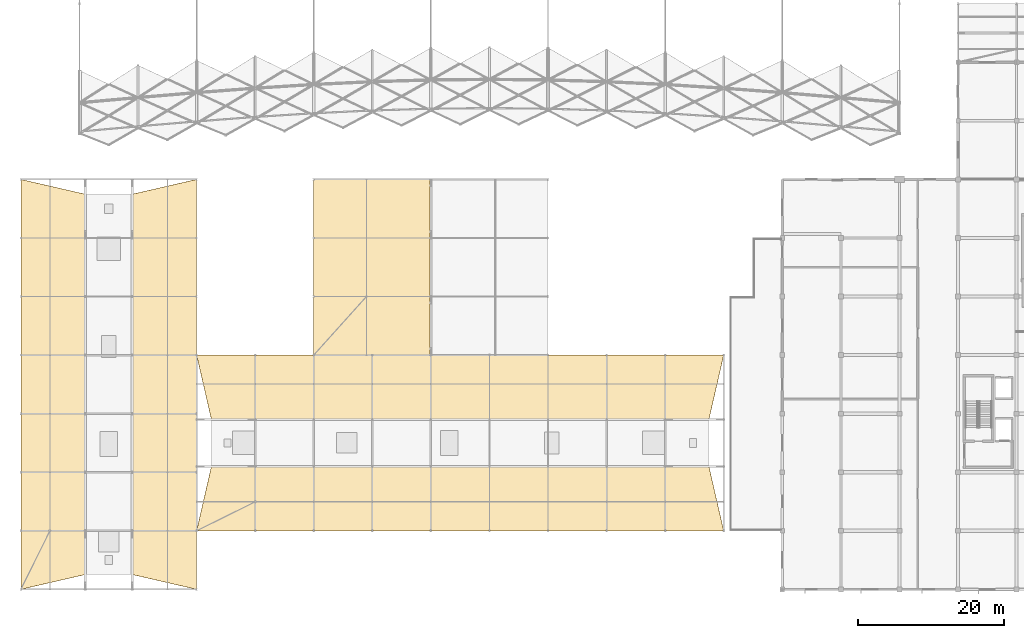
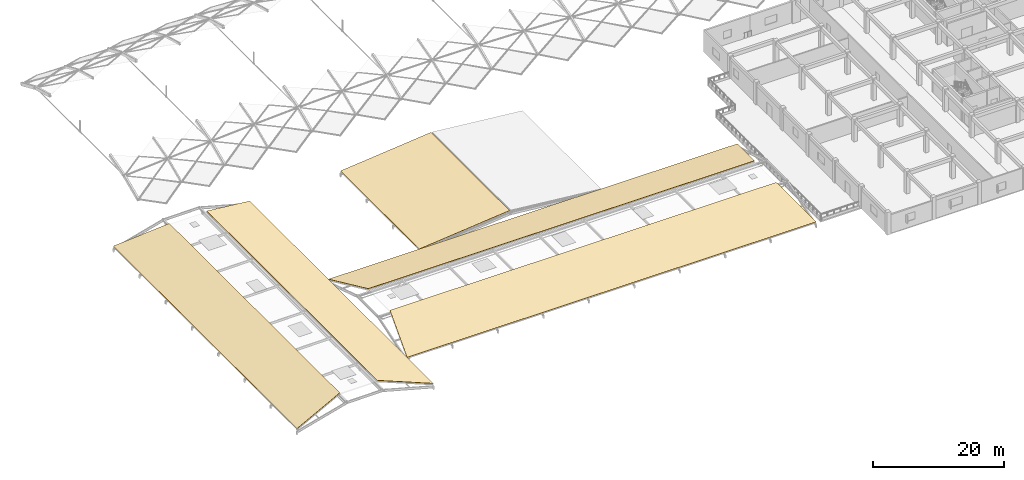
# One storey, part 49 of 54: 5 coverings.
"""IFC4 building model written with IfcOpenShell, lengths in metres."""

import ifcopenshell
import ifcopenshell.guid

model = None  # the IFC model being written
_history = None  # IfcOwnerHistory: only IFC2X3 demands one
_inside = {}  # id of a spatial element -> (the spatial element, [elements in it])
_under = {}  # id of a project, library or spatial element -> (it, [spatial elements below it])
_declared = {}  # id of a project -> (the project, [libraries it declares])
_typed = {}  # id of a type object -> (the type object, [elements of that type])
_made_of = {}  # id of a material, layer set ... -> (it, [elements and type objects made of it])


def new_model(schema):
    """Start an empty IFC model of exactly this schema.

    Asked for "IFC4X3", IfcOpenShell would pick the latest addendum, in which some entities
    have other attributes; the version numbers below select the first issue.
    IFC2X3 requires an IfcOwnerHistory on every rooted entity: one is made here for all.
    """
    global model, _history
    if schema == "IFC4X3":
        model = ifcopenshell.file(schema_version=(4, 3, 0, 0))
    else:
        model = ifcopenshell.file(schema=schema)
    _inside.clear()
    _under.clear()
    _declared.clear()
    _typed.clear()
    _made_of.clear()
    _history = None
    if model.schema == "IFC2X3":
        org = make("IfcOrganization", Name="unknown")
        user = make(
            "IfcPersonAndOrganization",
            ThePerson=make("IfcPerson", FamilyName="unknown"),
            TheOrganization=org,
        )
        app = make(
            "IfcApplication",
            ApplicationDeveloper=org,
            Version="unknown",
            ApplicationFullName="unknown",
            ApplicationIdentifier="unknown",
        )
        _history = make(
            "IfcOwnerHistory",
            OwningUser=user,
            OwningApplication=app,
            ChangeAction="ADDED",
            CreationDate=0,
        )
    return model


def make(cls, **values):
    """One entity of the class cls with the attributes given. An attribute that is None is left unset."""
    return model.create_entity(
        cls, **{name: value for name, value in values.items() if value is not None}
    )


def rooted(cls, **values):
    """An entity with a GlobalId (a new one), such as an element, a storey or a relation."""
    return make(cls, GlobalId=ifcopenshell.guid.new(), OwnerHistory=_history, **values)


def si_unit(unit_type, name, prefix=None):
    """IfcSIUnit, for example si_unit("LENGTHUNIT", "METRE", prefix="MILLI")."""
    return make("IfcSIUnit", UnitType=unit_type, Prefix=prefix, Name=name)


def assignment(units):
    """IfcUnitAssignment: the units of a project."""
    return None if units is None else make("IfcUnitAssignment", Units=units)


def point(xyz):
    """IfcCartesianPoint."""
    return None if xyz is None else make("IfcCartesianPoint", Coordinates=xyz)


def direction(xyz):
    """IfcDirection."""
    return None if xyz is None else make("IfcDirection", DirectionRatios=xyz)


def frame(location, z_axis=None, x_axis=None):
    """IfcAxis2Placement3D, a coordinate frame: its origin and axes. An axis left out is left unset."""
    return make(
        "IfcAxis2Placement3D",
        Location=point(location),
        Axis=direction(z_axis),
        RefDirection=direction(x_axis),
    )


def origin():
    """The frame at (0, 0, 0) with its axes left unset."""
    return frame((0.0, 0.0, 0.0))


def place(relative_to, where):
    """IfcLocalPlacement: puts the frame where relative to a parent placement (None: the world)."""
    return make(
        "IfcLocalPlacement", PlacementRelTo=relative_to, RelativePlacement=where
    )


def context(
    kind, dimensions, precision=None, world=None, true_north=None, identifier=None
):
    """IfcGeometricRepresentationContext, for example the 3D "Model" context."""
    return make(
        "IfcGeometricRepresentationContext",
        ContextIdentifier=identifier,
        ContextType=kind,
        CoordinateSpaceDimension=dimensions,
        Precision=precision,
        WorldCoordinateSystem=world,
        TrueNorth=true_north,
    )


def subcontext(parent, identifier, kind, view, scale=None):
    """IfcGeometricRepresentationSubContext, for example "Body" below "Model"."""
    return make(
        "IfcGeometricRepresentationSubContext",
        ContextIdentifier=identifier,
        ContextType=kind,
        ParentContext=parent,
        TargetScale=scale,
        TargetView=view,
    )


def project(units=None, contexts=None):
    """IfcProject with its units and contexts."""
    return rooted(
        "IfcProject",
        Name="project",
        RepresentationContexts=contexts,
        UnitsInContext=assignment(units),
    )


def spatial(cls, under=None, at=None, **own):
    """A site, building, storey or space (cls), placed at a placement, below another one or the project."""
    s = rooted(cls, ObjectPlacement=at, **own)
    if under is not None:
        _under.setdefault(under.id(), (under, []))[1].append(s)
    return s


def polyline(points):
    """IfcPolyline through the points."""
    return make("IfcPolyline", Points=[point(p) for p in points])


def outline(outer, holes=None, kind="AREA"):
    """IfcArbitraryClosedProfileDef: a profile drawn as a closed curve; with holes, ...WithVoids."""
    if holes is None:
        return make("IfcArbitraryClosedProfileDef", ProfileType=kind, OuterCurve=outer)
    return make(
        "IfcArbitraryProfileDefWithVoids",
        ProfileType=kind,
        OuterCurve=outer,
        InnerCurves=holes,
    )


def extrude(swept, where, along, depth):
    """IfcExtrudedAreaSolid: the profile swept, set in the frame where, extruded along a direction by depth."""
    return make(
        "IfcExtrudedAreaSolid",
        SweptArea=swept,
        Position=where,
        ExtrudedDirection=direction(along),
        Depth=depth,
    )


def shape(context_of_items, identifier, shape_type, items):
    """IfcShapeRepresentation: the items that make up one representation, for example the "Body"."""
    return make(
        "IfcShapeRepresentation",
        ContextOfItems=context_of_items,
        RepresentationIdentifier=identifier,
        RepresentationType=shape_type,
        Items=items,
    )


def material(Name=None, Category=None):
    """IfcMaterial."""
    return make("IfcMaterial", Name=Name, Category=Category)


def layer(
    of_material, thickness, ventilated=None, Name=None, Category=None, Priority=None
):
    """IfcMaterialLayer: one layer of a wall or slab, of a material (None: an air gap)."""
    return make(
        "IfcMaterialLayer",
        Material=of_material,
        LayerThickness=thickness,
        IsVentilated=ventilated,
        Name=Name,
        Category=Category,
        Priority=Priority,
    )


def layer_set(layers, Name=None):
    """IfcMaterialLayerSet."""
    return make("IfcMaterialLayerSet", MaterialLayers=layers, LayerSetName=Name)


def made_of(thing, what):
    """Note that an element or type object is made of a material, layer set ...; save() writes the relation."""
    if what is not None:
        _made_of.setdefault(what.id(), (what, []))[1].append(thing)
    return thing


def type_object(cls, material=None, **own):
    """A type object (cls), such as IfcWallType, which elements share."""
    return made_of(rooted(cls, **own), material)


def element(
    cls,
    number,
    at=None,
    inside=None,
    cuts=None,
    type_object=None,
    material=None,
    context=None,
    identifier="Body",
    shape_type=None,
    held_by="IfcProductDefinitionShape",
    body=None,
    shapes=None,
    **own,
):
    """One element of the class cls, such as IfcWall. Its Tag is "e" and its number.

    at: its placement. inside: the storey or other place that contains it. cuts: it is an
    opening in that element (IfcRelVoidsElement). A single representation is given by context,
    identifier, shape_type and body (its items); several are given by shapes. held_by: the class
    of the entity that holds the representations. save() writes the other relations.
    """
    e = rooted(cls, Tag="e%d" % number, ObjectPlacement=at, **own)
    if body is not None:
        shapes = [shape(context, identifier, shape_type, body)]
    if shapes is not None:
        e.Representation = make(held_by, Representations=shapes)
    if inside is not None:
        _inside.setdefault(inside.id(), (inside, []))[1].append(e)
    if cuts is not None:
        rooted(
            "IfcRelVoidsElement", RelatingBuildingElement=cuts, RelatedOpeningElement=e
        )
    if type_object is not None:
        _typed.setdefault(type_object.id(), (type_object, []))[1].append(e)
    return made_of(e, material)


def aggregate(whole, parts):
    """IfcRelAggregates: a whole, such as a stair, and the parts it consists of."""
    return rooted("IfcRelAggregates", RelatingObject=whole, RelatedObjects=parts)


def save(model, path):
    """Write the relations noted so far, then the file.

    IfcRelAggregates (storeys below a building ...), IfcRelContainedInSpatialStructure (elements
    in a storey), IfcRelDefinesByType, IfcRelAssociatesMaterial and IfcRelDeclares: one each for
    every whole, place, type object, material and project.
    """
    for whole, parts in _under.values():
        aggregate(whole, parts)
    for where, things in _inside.values():
        rooted(
            "IfcRelContainedInSpatialStructure",
            RelatedElements=things,
            RelatingStructure=where,
        )
    for kind, things in _typed.values():
        rooted("IfcRelDefinesByType", RelatedObjects=things, RelatingType=kind)
    for what, things in _made_of.values():
        rooted("IfcRelAssociatesMaterial", RelatedObjects=things, RelatingMaterial=what)
    for by, libraries in _declared.values():
        rooted("IfcRelDeclares", RelatingContext=by, RelatedDefinitions=libraries)
    model.write(path)


model = new_model("IFC4")

# Units and contexts
model_context = context("Model", 3, precision=1e-05, world=origin(), true_north=direction((0.0, 1.0)))
body_context = subcontext(model_context, "Body", "Model", "MODEL_VIEW")
ifc_project = project(units=[si_unit("LENGTHUNIT", "METRE"), si_unit("AREAUNIT", "SQUARE_METRE"), si_unit("VOLUMEUNIT", "CUBIC_METRE"), si_unit("PLANEANGLEUNIT", "RADIAN"), si_unit("MASSUNIT", "GRAM", prefix="KILO")], contexts=[model_context])

# Site, building, storey
site_placement = place(None, origin())
site = spatial("IfcSite", under=ifc_project, at=site_placement, CompositionType="ELEMENT")
building_placement = place(site_placement, origin())
building = spatial("IfcBuilding", under=site, at=building_placement, Name="Kenh Van Central Station", CompositionType="ELEMENT")
storey_placement = place(building_placement, frame((0.0, 0.0, 15.0)))
storey = spatial("IfcBuildingStorey", under=building, at=storey_placement, Name="L03", CompositionType="ELEMENT", Elevation=15.0)

# Coverings
ifc_material_1 = material(Name="Standing-seam zinc-aluminium roofing", Category="aluminium")
ifc_layer_1 = layer(ifc_material_1, 0.044921875, Name="Standing-seam zinc-aluminium roofing")
ifc_layer_set_1 = layer_set([ifc_layer_1], Name="Standing-seam zinc-aluminium roofing")
covering_type_1 = type_object("IfcCoveringType", Name="COV-ROOF-SEAM", PredefinedType="ROOFING", material=ifc_layer_set_1)
covering_1_placement = place(storey_placement, frame((48.0, 16.0, 0.139892578125), z_axis=(0.0, -0.306369735686, 0.95191259318), x_axis=(1.0, 0.0, 0.0)))
element("IfcCovering", 1, at=covering_1_placement, inside=storey, type_object=covering_type_1, Name="L03 pitched roof covering 03", PredefinedType="ROOFING", context=body_context, shape_type="SweptSolid", body=[
    extrude(outline(polyline([(0.0, 0.0), (72.0, 0.0), (70.0, 9.139443299944114), (2.0, 9.139443299944114), (0.0, 0.0)])), origin(), (0.0, 0.0, -1.0), 0.044921875),
])
covering_2_placement = place(storey_placement, frame((64.0, 40.0, 0.139892578125), z_axis=(-0.100129933045, 0.0, 0.994974369775), x_axis=(0.994974369775, 0.0, 0.100129933045)))
element("IfcCovering", 2, at=covering_2_placement, inside=storey, type_object=covering_type_1, Name="L03 pitched roof covering 05", PredefinedType="ROOFING", context=body_context, shape_type="SweptSolid", body=[
    extrude(outline(polyline([(0.0, 0.0), (15.980212985136447, 0.0), (15.980212985136447, 23.999999999999996), (0.0, 23.999999999999996), (0.0, 0.0)])), origin(), (0.0, 0.0, -1.0), 0.044921875),
])
covering_3_placement = place(storey_placement, frame((24.0, 8.0, 0.139892578125), z_axis=(-0.265945468251, 0.0, 0.963988074572), x_axis=(0.941155000008, 0.216358685564, 0.25964626926)))
element("IfcCovering", 3, at=covering_3_placement, inside=storey, type_object=covering_type_1, Name="L03 pitched roof covering 07", PredefinedType="ROOFING", context=body_context, shape_type="SweptSolid", body=[
    extrude(outline(polyline([(0.0, 0.0), (9.243908996710582, -3.3306690738754696e-16), (20.494560646029942, 50.76832513945745), (12.116086391574697, 54.67358091941571), (0.0, 0.0)])), origin(), (0.0, 0.0, -1.0), 0.044921875),
])
ifc_material_2 = material(Name="Glazed terracotta roof tile", Category="masonry")
ifc_layer_2 = layer(ifc_material_2, 0.054931640625, Name="Glazed terracotta roof tile")
ifc_layer_set_2 = layer_set([ifc_layer_2], Name="Glazed terracotta roof tile")
covering_type_2 = type_object("IfcCoveringType", Name="COV-ROOF-TERRA", PredefinedType="ROOFING", material=ifc_layer_set_2)
covering_4_placement = place(storey_placement, frame((50.0, 31.300048828125, 2.93994140625), z_axis=(0.0, 0.306369735686, 0.95191259318), x_axis=(1.0, 0.0, 0.0)))
element("IfcCovering", 4, at=covering_4_placement, inside=storey, type_object=covering_type_2, Name="L03 pitched roof covering 04", PredefinedType="ROOFING", context=body_context, shape_type="SweptSolid", body=[
    extrude(outline(polyline([(0.0, 0.0), (68.0, 0.0), (70.0, 9.139443299944114), (-2.0, 9.139443299944114), (0.0, 0.0)])), origin(), (0.0, 0.0, -1.0), 0.054931640625),
])
covering_5_placement = place(storey_placement, frame((39.300048828125, 10.0, 2.5400390625), z_axis=(0.265945468251, 0.0, 0.963988074572), x_axis=(0.941155000008, -0.216358685564, -0.25964626926)))
element("IfcCovering", 5, at=covering_5_placement, inside=storey, type_object=covering_type_2, Name="L03 pitched roof covering 08", PredefinedType="ROOFING", context=body_context, shape_type="SweptSolid", body=[
    extrude(outline(polyline([(0.0, 0.0), (9.243908996710582, 3.3306690738754696e-16), (-2.872177394864113, 54.67358091941572), (-11.25065164931936, 50.76832513945745), (0.0, 0.0)])), origin(), (0.0, 0.0, -1.0), 0.054931640625),
])

save(model, "model.ifc")
